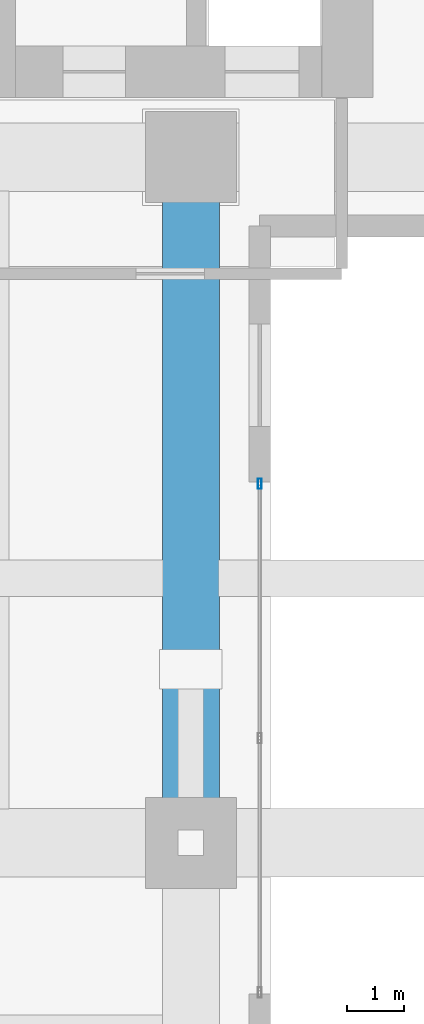
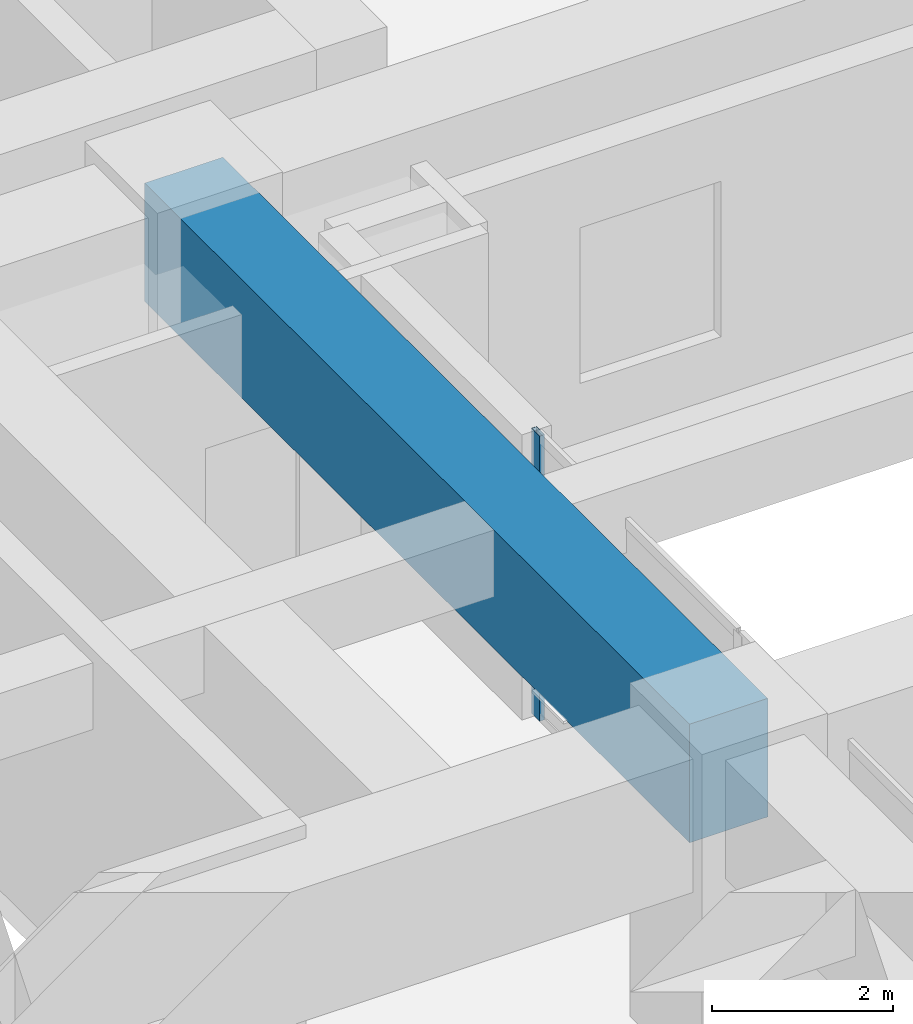
# One storey, part 3 of 33: 1 beam, 1 member, 1 element without a shape of its own.
"""IFC4 building model written with IfcOpenShell, lengths in metres."""

import ifcopenshell
import ifcopenshell.guid

model = None  # the IFC model being written
_history = None  # IfcOwnerHistory: only IFC2X3 demands one
_inside = {}  # id of a spatial element -> (the spatial element, [elements in it])
_under = {}  # id of a project, library or spatial element -> (it, [spatial elements below it])
_declared = {}  # id of a project -> (the project, [libraries it declares])
_typed = {}  # id of a type object -> (the type object, [elements of that type])
_made_of = {}  # id of a material, layer set ... -> (it, [elements and type objects made of it])


def new_model(schema):
    """Start an empty IFC model of exactly this schema.

    Asked for "IFC4X3", IfcOpenShell would pick the latest addendum, in which some entities
    have other attributes; the version numbers below select the first issue.
    IFC2X3 requires an IfcOwnerHistory on every rooted entity: one is made here for all.
    """
    global model, _history
    if schema == "IFC4X3":
        model = ifcopenshell.file(schema_version=(4, 3, 0, 0))
    else:
        model = ifcopenshell.file(schema=schema)
    _inside.clear()
    _under.clear()
    _declared.clear()
    _typed.clear()
    _made_of.clear()
    _history = None
    if model.schema == "IFC2X3":
        org = make("IfcOrganization", Name="unknown")
        user = make(
            "IfcPersonAndOrganization",
            ThePerson=make("IfcPerson", FamilyName="unknown"),
            TheOrganization=org,
        )
        app = make(
            "IfcApplication",
            ApplicationDeveloper=org,
            Version="unknown",
            ApplicationFullName="unknown",
            ApplicationIdentifier="unknown",
        )
        _history = make(
            "IfcOwnerHistory",
            OwningUser=user,
            OwningApplication=app,
            ChangeAction="ADDED",
            CreationDate=0,
        )
    return model


def make(cls, **values):
    """One entity of the class cls with the attributes given. An attribute that is None is left unset."""
    return model.create_entity(
        cls, **{name: value for name, value in values.items() if value is not None}
    )


def rooted(cls, **values):
    """An entity with a GlobalId (a new one), such as an element, a storey or a relation."""
    return make(cls, GlobalId=ifcopenshell.guid.new(), OwnerHistory=_history, **values)


def si_unit(unit_type, name, prefix=None):
    """IfcSIUnit, for example si_unit("LENGTHUNIT", "METRE", prefix="MILLI")."""
    return make("IfcSIUnit", UnitType=unit_type, Prefix=prefix, Name=name)


def assignment(units):
    """IfcUnitAssignment: the units of a project."""
    return None if units is None else make("IfcUnitAssignment", Units=units)


def point(xyz):
    """IfcCartesianPoint."""
    return None if xyz is None else make("IfcCartesianPoint", Coordinates=xyz)


def direction(xyz):
    """IfcDirection."""
    return None if xyz is None else make("IfcDirection", DirectionRatios=xyz)


def frame(location, z_axis=None, x_axis=None):
    """IfcAxis2Placement3D, a coordinate frame: its origin and axes. An axis left out is left unset."""
    return make(
        "IfcAxis2Placement3D",
        Location=point(location),
        Axis=direction(z_axis),
        RefDirection=direction(x_axis),
    )


def frame_2d(location, x_axis=None):
    """IfcAxis2Placement2D, a coordinate frame in the plane: its origin and x axis."""
    return make(
        "IfcAxis2Placement2D", Location=point(location), RefDirection=direction(x_axis)
    )


def origin():
    """The frame at (0, 0, 0) with its axes left unset."""
    return frame((0.0, 0.0, 0.0))


def origin_2d():
    """The frame at (0, 0) in the plane with its x axis left unset."""
    return frame_2d((0.0, 0.0))


def place(relative_to, where):
    """IfcLocalPlacement: puts the frame where relative to a parent placement (None: the world)."""
    return make(
        "IfcLocalPlacement", PlacementRelTo=relative_to, RelativePlacement=where
    )


def context(
    kind, dimensions, precision=None, world=None, true_north=None, identifier=None
):
    """IfcGeometricRepresentationContext, for example the 3D "Model" context."""
    return make(
        "IfcGeometricRepresentationContext",
        ContextIdentifier=identifier,
        ContextType=kind,
        CoordinateSpaceDimension=dimensions,
        Precision=precision,
        WorldCoordinateSystem=world,
        TrueNorth=true_north,
    )


def subcontext(parent, identifier, kind, view, scale=None):
    """IfcGeometricRepresentationSubContext, for example "Body" below "Model"."""
    return make(
        "IfcGeometricRepresentationSubContext",
        ContextIdentifier=identifier,
        ContextType=kind,
        ParentContext=parent,
        TargetScale=scale,
        TargetView=view,
    )


def project(units=None, contexts=None):
    """IfcProject with its units and contexts."""
    return rooted(
        "IfcProject",
        Name="project",
        RepresentationContexts=contexts,
        UnitsInContext=assignment(units),
    )


def spatial(cls, under=None, at=None, **own):
    """A site, building, storey or space (cls), placed at a placement, below another one or the project."""
    s = rooted(cls, ObjectPlacement=at, **own)
    if under is not None:
        _under.setdefault(under.id(), (under, []))[1].append(s)
    return s


def profile(cls, at=None, kind="AREA", **sizes):
    """A parametric profile (cls). Its sizes go by their IFC names, for example OverallWidth=200.0."""
    return make(cls, ProfileType=kind, Position=at, **sizes)


def rectangle(**sizes):
    """IfcRectangleProfileDef."""
    return profile("IfcRectangleProfileDef", **sizes)


def hollow_rectangle(**sizes):
    """IfcRectangleHollowProfileDef."""
    return profile("IfcRectangleHollowProfileDef", **sizes)


def extrude(swept, where, along, depth):
    """IfcExtrudedAreaSolid: the profile swept, set in the frame where, extruded along a direction by depth."""
    return make(
        "IfcExtrudedAreaSolid",
        SweptArea=swept,
        Position=where,
        ExtrudedDirection=direction(along),
        Depth=depth,
    )


def shape(context_of_items, identifier, shape_type, items):
    """IfcShapeRepresentation: the items that make up one representation, for example the "Body"."""
    return make(
        "IfcShapeRepresentation",
        ContextOfItems=context_of_items,
        RepresentationIdentifier=identifier,
        RepresentationType=shape_type,
        Items=items,
    )


def source(mapping_origin, context_of_items, identifier, shape_type, items):
    """IfcRepresentationMap: a shape defined once, which mapped items show again and again."""
    return make(
        "IfcRepresentationMap",
        MappingOrigin=mapping_origin,
        MappedRepresentation=shape(context_of_items, identifier, shape_type, items),
    )


def transform(
    local_origin,
    x_axis=None,
    y_axis=None,
    z_axis=None,
    scale=None,
    scale2=None,
    scale3=None,
    uniform=True,
):
    """IfcCartesianTransformationOperator3D, or its non-uniform kind. x_axis, y_axis, z_axis: its Axis1, 2, 3."""
    if uniform:
        return make(
            "IfcCartesianTransformationOperator3D",
            Axis1=direction(x_axis),
            Axis2=direction(y_axis),
            LocalOrigin=point(local_origin),
            Scale=scale,
            Axis3=direction(z_axis),
        )
    return make(
        "IfcCartesianTransformationOperator3DnonUniform",
        Axis1=direction(x_axis),
        Axis2=direction(y_axis),
        LocalOrigin=point(local_origin),
        Scale=scale,
        Axis3=direction(z_axis),
        Scale2=scale2,
        Scale3=scale3,
    )


def mapped(mapping_source, mapping_target):
    """IfcMappedItem: shows the shape of a source again, moved by a transform."""
    return make(
        "IfcMappedItem", MappingSource=mapping_source, MappingTarget=mapping_target
    )


def material(Name=None, Category=None):
    """IfcMaterial."""
    return make("IfcMaterial", Name=Name, Category=Category)


def layer(
    of_material, thickness, ventilated=None, Name=None, Category=None, Priority=None
):
    """IfcMaterialLayer: one layer of a wall or slab, of a material (None: an air gap)."""
    return make(
        "IfcMaterialLayer",
        Material=of_material,
        LayerThickness=thickness,
        IsVentilated=ventilated,
        Name=Name,
        Category=Category,
        Priority=Priority,
    )


def layer_set(layers, Name=None):
    """IfcMaterialLayerSet."""
    return make("IfcMaterialLayerSet", MaterialLayers=layers, LayerSetName=Name)


def material_profile(
    of_material, cross_section, Name=None, Category=None, Priority=None
):
    """IfcMaterialProfile: a cross section and its material."""
    return make(
        "IfcMaterialProfile",
        Name=Name,
        Material=of_material,
        Profile=cross_section,
        Priority=Priority,
        Category=Category,
    )


def profile_set(profiles, Name=None, composite=None):
    """IfcMaterialProfileSet."""
    return make(
        "IfcMaterialProfileSet",
        Name=Name,
        MaterialProfiles=profiles,
        CompositeProfile=composite,
    )


def made_of(thing, what):
    """Note that an element or type object is made of a material, layer set ...; save() writes the relation."""
    if what is not None:
        _made_of.setdefault(what.id(), (what, []))[1].append(thing)
    return thing


def type_object(cls, material=None, **own):
    """A type object (cls), such as IfcWallType, which elements share."""
    return made_of(rooted(cls, **own), material)


def element(
    cls,
    number,
    at=None,
    inside=None,
    cuts=None,
    type_object=None,
    material=None,
    context=None,
    identifier="Body",
    shape_type=None,
    held_by="IfcProductDefinitionShape",
    body=None,
    shapes=None,
    **own,
):
    """One element of the class cls, such as IfcWall. Its Tag is "e" and its number.

    at: its placement. inside: the storey or other place that contains it. cuts: it is an
    opening in that element (IfcRelVoidsElement). A single representation is given by context,
    identifier, shape_type and body (its items); several are given by shapes. held_by: the class
    of the entity that holds the representations. save() writes the other relations.
    """
    e = rooted(cls, Tag="e%d" % number, ObjectPlacement=at, **own)
    if body is not None:
        shapes = [shape(context, identifier, shape_type, body)]
    if shapes is not None:
        e.Representation = make(held_by, Representations=shapes)
    if inside is not None:
        _inside.setdefault(inside.id(), (inside, []))[1].append(e)
    if cuts is not None:
        rooted(
            "IfcRelVoidsElement", RelatingBuildingElement=cuts, RelatedOpeningElement=e
        )
    if type_object is not None:
        _typed.setdefault(type_object.id(), (type_object, []))[1].append(e)
    return made_of(e, material)


def aggregate(whole, parts):
    """IfcRelAggregates: a whole, such as a stair, and the parts it consists of."""
    return rooted("IfcRelAggregates", RelatingObject=whole, RelatedObjects=parts)


def save(model, path):
    """Write the relations noted so far, then the file.

    IfcRelAggregates (storeys below a building ...), IfcRelContainedInSpatialStructure (elements
    in a storey), IfcRelDefinesByType, IfcRelAssociatesMaterial and IfcRelDeclares: one each for
    every whole, place, type object, material and project.
    """
    for whole, parts in _under.values():
        aggregate(whole, parts)
    for where, things in _inside.values():
        rooted(
            "IfcRelContainedInSpatialStructure",
            RelatedElements=things,
            RelatingStructure=where,
        )
    for kind, things in _typed.values():
        rooted("IfcRelDefinesByType", RelatedObjects=things, RelatingType=kind)
    for what, things in _made_of.values():
        rooted("IfcRelAssociatesMaterial", RelatedObjects=things, RelatingMaterial=what)
    for by, libraries in _declared.values():
        rooted("IfcRelDeclares", RelatingContext=by, RelatedDefinitions=libraries)
    model.write(path)


model = new_model("IFC4")

# Units and contexts
model_context = context("Model", 3, precision=1e-05, world=origin(), true_north=direction((0.0, 1.0)))
body_context = subcontext(model_context, "Body", "Model", "MODEL_VIEW")
ifc_project = project(units=[si_unit("LENGTHUNIT", "METRE"), si_unit("AREAUNIT", "SQUARE_METRE"), si_unit("VOLUMEUNIT", "CUBIC_METRE"), si_unit("PLANEANGLEUNIT", "RADIAN"), si_unit("MASSUNIT", "GRAM", prefix="KILO")], contexts=[model_context])

# Site, building, storey
site_placement = place(None, origin())
site = spatial("IfcSite", under=ifc_project, at=site_placement, CompositionType="ELEMENT")
building_placement = place(site_placement, origin())
building = spatial("IfcBuilding", under=site, at=building_placement, Name="Khoralis Quay Care Tower", CompositionType="ELEMENT")
storey_placement = place(building_placement, frame((0.0, 0.0, 18.0)))
storey = spatial("IfcBuildingStorey", under=building, at=storey_placement, Name="L04", CompositionType="ELEMENT", Elevation=18.0)

# Beam
ifc_material_1 = material(Name="Concrete C80/95", Category="concrete")
ifc_material_profile_1 = material_profile(ifc_material_1, rectangle(XDim=1.0, YDim=1.60009765625, at=origin_2d()), Name="Concrete C80/95")
ifc_profile_set_1 = profile_set([ifc_material_profile_1], Name="Concrete C80/95")
beam_type = type_object("IfcBeamType", Name="TG-RC1000X1600", PredefinedType="BEAM", material=ifc_profile_set_1)
shared_shape_1 = source(origin(), body_context, "Body", "SweptSolid", [
    extrude(rectangle(XDim=1.0, YDim=1.60009765625, at=origin_2d()), origin(), (0.0, 0.0, 1.0), 12.0498046875),
])
beam_placement = place(storey_placement, frame((34.60009765625, 1.35009765625, 3.52001953125), z_axis=(0.0, 1.0, 0.0), x_axis=(-1.0, 0.0, 0.0)))
element("IfcBeam", 1, at=beam_placement, inside=storey, type_object=beam_type, Name="L04 Transfer girder BM-PODY-L04-38", PredefinedType="BEAM", context=body_context, shape_type="MappedRepresentation", body=[
    mapped(shared_shape_1, transform((0.0, 0.0, 0.0), scale=1.0)),
])

# Curtain wall, member
ifc_material_2 = material(Name="Pale anodised aluminium", Category="aluminium")
ifc_layer = layer(ifc_material_2, 0.179931640625)
ifc_layer_set = layer_set([ifc_layer], Name="Pale anodised aluminium")
curtain_wall_type = type_object("IfcCurtainWallType", Name="CW-SYS-Z1", PredefinedType="NOTDEFINED", material=ifc_layer_set)
curtain_wall_placement = place(storey_placement, origin())
curtain_wall = element("IfcCurtainWall", 2, at=curtain_wall_placement, inside=storey, type_object=curtain_wall_type, Name="L04 Unitised Curtain Wall CW-POD-L04-E1", PredefinedType="NOTDEFINED")
ifc_material_profile_2 = material_profile(ifc_material_2, hollow_rectangle(XDim=0.06494140625, YDim=0.179931640625, WallThickness=0.00390625, at=origin_2d()), Name="Pale anodised aluminium")
ifc_profile_set_2 = profile_set([ifc_material_profile_2], Name="Pale anodised aluminium")
member_type = type_object("IfcMemberType", Name="CW-MUL-180", PredefinedType="MULLION", material=ifc_profile_set_2)
shared_shape_2 = source(origin(), body_context, "Body", "SweptSolid", [
    extrude(hollow_rectangle(XDim=0.06494140625, YDim=0.179931640625, WallThickness=0.00390625, at=origin_2d()), origin(), (0.0, 0.0, 1.0), 3.85009765625),
])
member_placement = place(storey_placement, frame((35.81005859375, 7.659912109375, 0.0), z_axis=(0.0, 0.0, 1.0), x_axis=(-1.0, 0.0, 0.0)))
member = element("IfcMember", 3, at=member_placement, type_object=member_type, Name="CW1 mullion 3", PredefinedType="MULLION", context=body_context, shape_type="MappedRepresentation", body=[
    mapped(shared_shape_2, transform((0.0, 0.0, 0.0), scale=1.0)),
])
aggregate(curtain_wall, [member])

save(model, "model.ifc")
